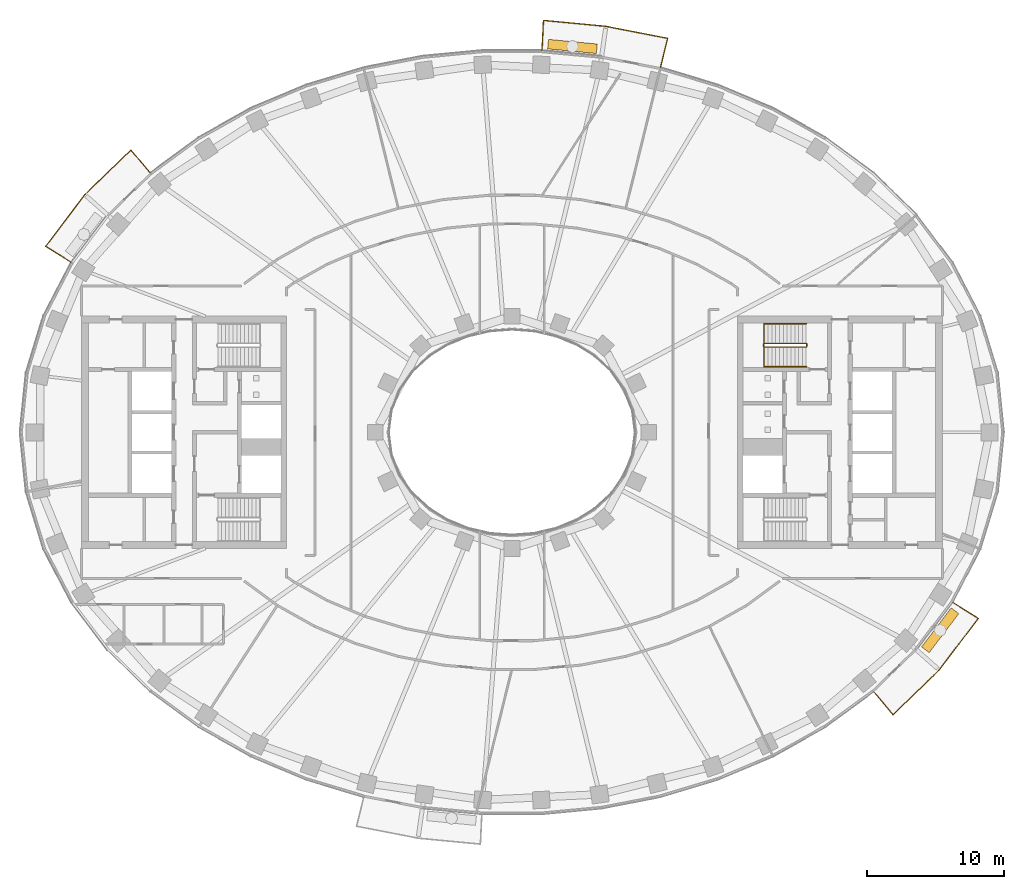
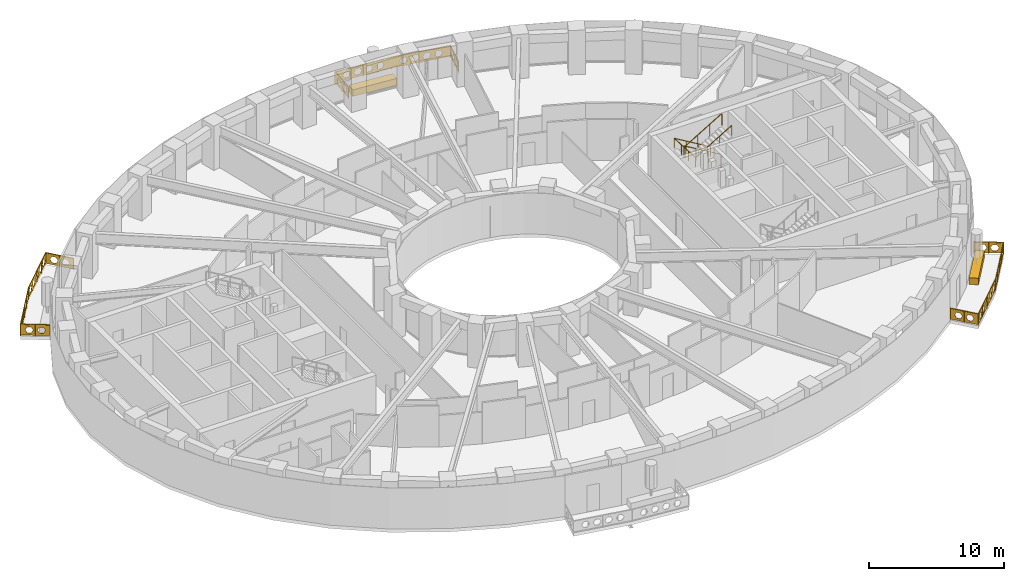
# One storey, part 15 of 16: 5 railings, 2 coverings.
"""IFC4 building model written with IfcOpenShell, lengths in metres."""

from ifc_helpers import new_model, si_unit, direction, frame, origin, origin_2d, place, context, subcontext, project, spatial, polyline, rectangle, outline, extrude, material, type_object, element, save


model = new_model("IFC4")

# Units and contexts
model_context = context("Model", 3, precision=1e-05, world=origin(), true_north=direction((0.0, 1.0)))
body_context = subcontext(model_context, "Body", "Model", "MODEL_VIEW")
ifc_project = project(units=[si_unit("LENGTHUNIT", "METRE"), si_unit("AREAUNIT", "SQUARE_METRE"), si_unit("VOLUMEUNIT", "CUBIC_METRE"), si_unit("PLANEANGLEUNIT", "RADIAN"), si_unit("MASSUNIT", "GRAM", prefix="KILO")], contexts=[model_context])

# Site, building, storey
site_placement = place(None, origin())
site = spatial("IfcSite", under=ifc_project, at=site_placement, CompositionType="ELEMENT")
building_placement = place(site_placement, origin())
building = spatial("IfcBuilding", under=site, at=building_placement, Name="Noorbagh Ring Tower", CompositionType="ELEMENT")
storey_placement = place(building_placement, frame((0.0, 0.0, 136.0)))
storey = spatial("IfcBuildingStorey", under=building, at=storey_placement, Name="L31", CompositionType="ELEMENT", Elevation=136.0)

# Railings
ifc_material_1 = material(Name="Stainless steel", Category="steel")
railing_type_1 = type_object("IfcRailingType", Name="CORE-STAIR-GUARD", PredefinedType="GUARDRAIL", material=ifc_material_1)
railing_1_placement = place(storey_placement, frame((21.580078125, 6.449951171875, 0.0)))
element("IfcRailing", 1, at=railing_1_placement, inside=storey, type_object=railing_type_1, Name="L31 ST3 stair guard", PredefinedType="GUARDRAIL", context=body_context, shape_type="SweptSolid", body=[
    extrude(rectangle(XDim=0.048095703125, YDim=0.048095703125, at=origin_2d()), frame((0.0, 0.0, 1.076171875), z_axis=(0.0, -1.0, 0.0), x_axis=(1.0, 0.0, 0.0)), (0.0, 0.0, 1.0), 0.14990234375),
    extrude(rectangle(XDim=0.048095703125, YDim=0.048095703125, at=origin_2d()), frame((0.0, -0.14990234375, 1.076171875), z_axis=(-0.188775798145, 0.754182335027, 0.628945707965), x_axis=(-0.970072785993, -0.242814311512, 0.0)), (0.0, 0.0, 1.0), 0.26513671875),
    extrude(rectangle(XDim=0.048095703125, YDim=0.048095703125, at=origin_2d()), frame((-0.050048828125, 0.050048828125, 1.24267578125), z_axis=(-0.859308565015, 0.0, 0.511457515432), x_axis=(0.0, -1.0, 0.0)), (0.0, 0.0, 1.0), 3.58447265625),
    extrude(rectangle(XDim=0.048095703125, YDim=0.048095703125, at=origin_2d()), frame((-3.130126953125, 0.050048828125, 3.076171875), z_axis=(-0.707106781187, -0.707106781187, 0.0), x_axis=(0.707106781187, -0.707106781187, 0.0)), (0.0, 0.0, 1.0), 0.07080078125),
    extrude(rectangle(XDim=0.048095703125, YDim=0.048095703125, at=origin_2d()), frame((-3.18017578125, 0.0, 3.076171875), z_axis=(0.0, -1.0, 0.0), x_axis=(1.0, 0.0, 0.0)), (0.0, 0.0, 1.0), 0.14990234375),
    extrude(rectangle(XDim=0.048095703125, YDim=0.048095703125, at=origin_2d()), frame((-3.18017578125, -0.14990234375, 3.076171875), z_axis=(0.27628659633, -0.27628659633, 0.920506074601), x_axis=(0.707106781187, 0.707106781187, 0.0)), (0.0, 0.0, 1.0), 0.18115234375),
    extrude(rectangle(XDim=0.048095703125, YDim=0.048095703125, at=origin_2d()), frame((-3.130126953125, -0.199951171875, 3.24267578125), z_axis=(0.859308565015, 0.0, 0.511457515432), x_axis=(0.0, 1.0, 0.0)), (0.0, 0.0, 1.0), 3.58447265625),
    extrude(rectangle(XDim=0.0419921875, YDim=0.0419921875, at=origin_2d()), origin(), (0.0, 0.0, 1.0), 1.052001953125),
    extrude(rectangle(XDim=0.0419921875, YDim=0.0419921875, at=origin_2d()), frame((-1.07666015625, 0.050048828125, 0.77783203125)), (0.0, 0.0, 1.0), 1.052001953125),
    extrude(rectangle(XDim=0.0419921875, YDim=0.0419921875, at=origin_2d()), frame((-2.103515625, 0.050048828125, 1.388916015625)), (0.0, 0.0, 1.0), 1.052001953125),
    extrude(rectangle(XDim=0.0419921875, YDim=0.0419921875, at=origin_2d()), frame((-3.130126953125, 0.050048828125, 2.0)), (0.0, 0.0, 1.0), 1.052001953125),
    extrude(rectangle(XDim=0.0419921875, YDim=0.0419921875, at=origin_2d()), frame((-3.130126953125, -0.199951171875, 2.166748046875)), (0.0, 0.0, 1.0), 1.052001953125),
    extrude(rectangle(XDim=0.0419921875, YDim=0.0419921875, at=origin_2d()), frame((-2.103515625, -0.199951171875, 2.77783203125)), (0.0, 0.0, 1.0), 1.052001953125),
    extrude(rectangle(XDim=0.0419921875, YDim=0.0419921875, at=origin_2d()), frame((-1.07666015625, -0.199951171875, 3.388916015625)), (0.0, 0.0, 1.0), 1.052001953125),
    extrude(rectangle(XDim=0.0419921875, YDim=0.0419921875, at=origin_2d()), frame((-0.050048828125, -0.199951171875, 4.0)), (0.0, 0.0, 1.0), 1.052001953125),
])
ifc_material_2 = material(Name="Stainless steel", Category="steel")
railing_type_2 = type_object("IfcRailingType", Name="CORE-STAIR-HANDRAIL", PredefinedType="HANDRAIL", material=ifc_material_2)
railing_2_placement = place(storey_placement, frame((21.530029296875, 7.949951171875, 0.166748046875)))
element("IfcRailing", 2, at=railing_2_placement, inside=storey, type_object=railing_type_2, Name="L31 ST3 stair handrail", PredefinedType="HANDRAIL", context=body_context, shape_type="SweptSolid", body=[
    extrude(rectangle(XDim=0.048095703125, YDim=0.048095703125, at=origin_2d()), frame((0.0, 0.0, 0.8759765625), z_axis=(-0.859308565015, 0.0, 0.511457515432), x_axis=(0.0, -1.0, 0.0)), (0.0, 0.0, 1.0), 3.58447265625),
    extrude(rectangle(XDim=0.048095703125, YDim=0.048095703125, at=origin_2d()), frame((-3.080078125, 0.0, 2.708984375), z_axis=(0.0, -0.998601747152, 0.052863509014), x_axis=(1.0, 0.0, 0.0)), (0.0, 0.0, 1.0), 3.154296875),
    extrude(rectangle(XDim=0.048095703125, YDim=0.048095703125, at=origin_2d()), frame((-3.080078125, -3.14990234375, 2.8759765625), z_axis=(0.859308565015, 0.0, 0.511457515432), x_axis=(0.0, 1.0, 0.0)), (0.0, 0.0, 1.0), 3.58447265625),
    extrude(rectangle(XDim=0.0419921875, YDim=0.0419921875, at=origin_2d()), origin(), (0.0, 0.0, 1.0), 0.851806640625),
    extrude(rectangle(XDim=0.0419921875, YDim=0.0419921875, at=origin_2d()), frame((-1.026611328125, 0.0, 0.611083984375)), (0.0, 0.0, 1.0), 0.851806640625),
    extrude(rectangle(XDim=0.0419921875, YDim=0.0419921875, at=origin_2d()), frame((-2.053466796875, 0.0, 1.22216796875)), (0.0, 0.0, 1.0), 0.851806640625),
    extrude(rectangle(XDim=0.0419921875, YDim=0.0419921875, at=origin_2d()), frame((-3.080078125, 0.0, 1.833251953125)), (0.0, 0.0, 1.0), 0.851806640625),
    extrude(rectangle(XDim=0.0419921875, YDim=0.0419921875, at=origin_2d()), frame((-3.080078125, -1.050048828125, 1.888916015625)), (0.0, 0.0, 1.0), 0.851806640625),
    extrude(rectangle(XDim=0.0419921875, YDim=0.0419921875, at=origin_2d()), frame((-3.080078125, -2.099853515625, 1.9443359375)), (0.0, 0.0, 1.0), 0.851806640625),
    extrude(rectangle(XDim=0.0419921875, YDim=0.0419921875, at=origin_2d()), frame((-3.080078125, -3.14990234375, 2.0)), (0.0, 0.0, 1.0), 0.851806640625),
    extrude(rectangle(XDim=0.0419921875, YDim=0.0419921875, at=origin_2d()), frame((-2.053466796875, -3.14990234375, 2.611083984375)), (0.0, 0.0, 1.0), 0.851806640625),
    extrude(rectangle(XDim=0.0419921875, YDim=0.0419921875, at=origin_2d()), frame((-1.026611328125, -3.14990234375, 3.22216796875)), (0.0, 0.0, 1.0), 0.851806640625),
    extrude(rectangle(XDim=0.0419921875, YDim=0.0419921875, at=origin_2d()), frame((0.0, -3.14990234375, 3.833251953125)), (0.0, 0.0, 1.0), 0.851806640625),
])
ifc_material_3 = material(Name="Steel S275 black powder-coated", Category="steel")
railing_type_3 = type_object("IfcRailingType", Name="ENV-GUARD", PredefinedType="GUARDRAIL", material=ifc_material_3)
railing_3_placement = place(storey_placement, frame((10.865234375, 26.6943359375, 0.0)))
element("IfcRailing", 3, at=railing_3_placement, inside=storey, type_object=railing_type_3, Name="Balcony guard BN03", PredefinedType="GUARDRAIL", context=body_context, shape_type="SweptSolid", body=[
    extrude(rectangle(XDim=0.048095703125, YDim=0.048095703125, at=origin_2d()), frame((0.0, 0.0, 1.076171875), z_axis=(0.239848558412, 0.970810315679, 0.0), x_axis=(-0.970810315679, 0.239848558412, 0.0)), (0.0, 0.0, 1.0), 2.20263671875),
    extrude(rectangle(XDim=0.048095703125, YDim=0.048095703125, at=origin_2d()), frame((0.5283203125, 2.138427734375, 1.076171875), z_axis=(-0.981625049064, 0.1908199755, 0.0), x_axis=(-0.1908199755, -0.981625049064, 0.0)), (0.0, 0.0, 1.0), 4.603271484375),
    extrude(rectangle(XDim=0.048095703125, YDim=0.048095703125, at=origin_2d()), frame((-3.990478515625, 3.016845703125, 1.076171875), z_axis=(-0.995477555764, 0.094997031379, 0.0), x_axis=(-0.094997031379, -0.995477555764, 0.0)), (0.0, 0.0, 1.0), 4.59765625),
    extrude(rectangle(XDim=0.048095703125, YDim=0.048095703125, at=origin_2d()), frame((-8.5673828125, 3.45361328125, 1.076171875), z_axis=(-0.047554616162, -0.998868639252, 0.0), x_axis=(0.998868639252, -0.047554616162, 0.0)), (0.0, 0.0, 1.0), 2.202392578125),
    extrude(rectangle(XDim=0.0419921875, YDim=0.0419921875, at=origin_2d()), origin(), (0.0, 0.0, 1.0), 1.052001953125),
    extrude(rectangle(XDim=0.0419921875, YDim=0.0419921875, at=origin_2d()), frame((0.26416015625, 1.0693359375, 0.0)), (0.0, 0.0, 1.0), 1.052001953125),
    extrude(rectangle(XDim=0.0419921875, YDim=0.0419921875, at=origin_2d()), frame((0.5283203125, 2.138427734375, 0.0)), (0.0, 0.0, 1.0), 1.052001953125),
    extrude(rectangle(XDim=0.0419921875, YDim=0.0419921875, at=origin_2d()), frame((-0.601318359375, 2.35791015625, 0.0)), (0.0, 0.0, 1.0), 1.052001953125),
    extrude(rectangle(XDim=0.0419921875, YDim=0.0419921875, at=origin_2d()), frame((-1.73095703125, 2.57763671875, 0.0)), (0.0, 0.0, 1.0), 1.052001953125),
    extrude(rectangle(XDim=0.0419921875, YDim=0.0419921875, at=origin_2d()), frame((-2.86083984375, 2.79736328125, 0.0)), (0.0, 0.0, 1.0), 1.052001953125),
    extrude(rectangle(XDim=0.0419921875, YDim=0.0419921875, at=origin_2d()), frame((-3.990478515625, 3.016845703125, 0.0)), (0.0, 0.0, 1.0), 1.052001953125),
    extrude(rectangle(XDim=0.0419921875, YDim=0.0419921875, at=origin_2d()), frame((-5.134765625, 3.1259765625, 0.0)), (0.0, 0.0, 1.0), 1.052001953125),
    extrude(rectangle(XDim=0.0419921875, YDim=0.0419921875, at=origin_2d()), frame((-6.27880859375, 3.2353515625, 0.0)), (0.0, 0.0, 1.0), 1.052001953125),
    extrude(rectangle(XDim=0.0419921875, YDim=0.0419921875, at=origin_2d()), frame((-7.423095703125, 3.344482421875, 0.0)), (0.0, 0.0, 1.0), 1.052001953125),
    extrude(rectangle(XDim=0.0419921875, YDim=0.0419921875, at=origin_2d()), frame((-8.5673828125, 3.45361328125, 0.0)), (0.0, 0.0, 1.0), 1.052001953125),
    extrude(rectangle(XDim=0.0419921875, YDim=0.0419921875, at=origin_2d()), frame((-8.61962890625, 2.353515625, 0.0)), (0.0, 0.0, 1.0), 1.052001953125),
    extrude(rectangle(XDim=0.0419921875, YDim=0.0419921875, at=origin_2d()), frame((-8.672119140625, 1.253662109375, 0.0)), (0.0, 0.0, 1.0), 1.052001953125),
    extrude(outline(polyline([(0.0, 0.10009765625), (2.20263671875, 0.10009765625), (2.20263671875, 1.031982421875), (0.0, 1.031982421875), (0.0, 0.10009765625)]), holes=[polyline([(0.96142578125, 0.56591796875), (0.806396484375, 0.83447265625), (0.496337890625, 0.83447265625), (0.34130859375, 0.56591796875), (0.496337890625, 0.297607421875), (0.806396484375, 0.297607421875), (0.96142578125, 0.56591796875)]), polyline([(1.861328125, 0.56591796875), (1.706298828125, 0.83447265625), (1.396240234375, 0.83447265625), (1.241455078125, 0.56591796875), (1.396240234375, 0.297607421875), (1.706298828125, 0.297607421875), (1.861328125, 0.56591796875)])]), frame((-0.009765625, 0.00244140625, 0.0), z_axis=(0.970810315679, -0.239848558412, 0.0), x_axis=(0.239848558412, 0.970810315679, 0.0)), (0.0, 0.0, 1.0), 0.02001953125),
    extrude(outline(polyline([(0.0, 0.10009765625), (4.603271484375, 0.10009765625), (4.603271484375, 1.031982421875), (0.0, 1.031982421875), (0.0, 0.10009765625)]), holes=[polyline([(1.26171875, 0.56591796875), (1.106689453125, 0.83447265625), (0.796630859375, 0.83447265625), (0.6416015625, 0.56591796875), (0.796630859375, 0.297607421875), (1.106689453125, 0.297607421875), (1.26171875, 0.56591796875)]), polyline([(2.16162109375, 0.56591796875), (2.006591796875, 0.83447265625), (1.69677734375, 0.83447265625), (1.541748046875, 0.56591796875), (1.69677734375, 0.297607421875), (2.006591796875, 0.297607421875), (2.16162109375, 0.56591796875)]), polyline([(3.061767578125, 0.56591796875), (2.90673828125, 0.83447265625), (2.5966796875, 0.83447265625), (2.441650390625, 0.56591796875), (2.5966796875, 0.297607421875), (2.90673828125, 0.297607421875), (3.061767578125, 0.56591796875)]), polyline([(3.961669921875, 0.56591796875), (3.806640625, 0.83447265625), (3.49658203125, 0.83447265625), (3.341796875, 0.56591796875), (3.49658203125, 0.297607421875), (3.806640625, 0.297607421875), (3.961669921875, 0.56591796875)])]), frame((0.5263671875, 2.128662109375, 0.0), z_axis=(0.1908199755, 0.981625049064, 0.0), x_axis=(-0.981625049064, 0.1908199755, 0.0)), (0.0, 0.0, 1.0), 0.02001953125),
    extrude(outline(polyline([(0.0, 0.10009765625), (4.59765625, 0.10009765625), (4.59765625, 1.031982421875), (0.0, 1.031982421875), (0.0, 0.10009765625)]), holes=[polyline([(1.2587890625, 0.56591796875), (1.103759765625, 0.83447265625), (0.7939453125, 0.83447265625), (0.638916015625, 0.56591796875), (0.7939453125, 0.297607421875), (1.103759765625, 0.297607421875), (1.2587890625, 0.56591796875)]), polyline([(2.158935546875, 0.56591796875), (2.00390625, 0.83447265625), (1.69384765625, 0.83447265625), (1.538818359375, 0.56591796875), (1.69384765625, 0.297607421875), (2.00390625, 0.297607421875), (2.158935546875, 0.56591796875)]), polyline([(3.058837890625, 0.56591796875), (2.90380859375, 0.83447265625), (2.59375, 0.83447265625), (2.43896484375, 0.56591796875), (2.59375, 0.297607421875), (2.90380859375, 0.297607421875), (3.058837890625, 0.56591796875)]), polyline([(3.958740234375, 0.56591796875), (3.803955078125, 0.83447265625), (3.493896484375, 0.83447265625), (3.3388671875, 0.56591796875), (3.493896484375, 0.297607421875), (3.803955078125, 0.297607421875), (3.958740234375, 0.56591796875)])]), frame((-3.991455078125, 3.0068359375, 0.0), z_axis=(0.094997031379, 0.995477555764, 0.0), x_axis=(-0.995477555764, 0.094997031379, 0.0)), (0.0, 0.0, 1.0), 0.02001953125),
    extrude(outline(polyline([(0.0, 0.10009765625), (2.202392578125, 0.10009765625), (2.202392578125, 1.031982421875), (0.0, 1.031982421875), (0.0, 0.10009765625)]), holes=[polyline([(0.961181640625, 0.56591796875), (0.80615234375, 0.83447265625), (0.496337890625, 0.83447265625), (0.34130859375, 0.56591796875), (0.496337890625, 0.297607421875), (0.80615234375, 0.297607421875), (0.961181640625, 0.56591796875)]), polyline([(1.861328125, 0.56591796875), (1.706298828125, 0.83447265625), (1.396240234375, 0.83447265625), (1.2412109375, 0.56591796875), (1.396240234375, 0.297607421875), (1.706298828125, 0.297607421875), (1.861328125, 0.56591796875)])]), frame((-8.557373046875, 3.453125, 0.0), z_axis=(-0.998868639252, 0.047554616162, 0.0), x_axis=(-0.047554616162, -0.998868639252, 0.0)), (0.0, 0.0, 1.0), 0.02001953125),
])
railing_4_placement = place(storey_placement, frame((-26.463134765625, 18.983154296875, 0.0)))
element("IfcRailing", 4, at=railing_4_placement, inside=storey, type_object=railing_type_3, Name="Balcony guard BN06", PredefinedType="GUARDRAIL", context=body_context, shape_type="SweptSolid", body=[
    extrude(rectangle(XDim=0.048095703125, YDim=0.048095703125, at=origin_2d()), frame((0.0, 0.0, 1.076171875), z_axis=(-0.646413574048, 0.762987215677, 0.0), x_axis=(-0.762987215677, -0.646413574048, 0.0)), (0.0, 0.0, 1.0), 2.205322265625),
    extrude(rectangle(XDim=0.048095703125, YDim=0.048095703125, at=origin_2d()), frame((-1.425537109375, 1.6826171875, 1.076171875), z_axis=(-0.717212632946, -0.696854388766, 0.0), x_axis=(0.696854388766, -0.717212632946, 0.0)), (0.0, 0.0, 1.0), 4.700927734375),
    extrude(rectangle(XDim=0.048095703125, YDim=0.048095703125, at=origin_2d()), frame((-4.797119140625, -1.59326171875, 1.076171875), z_axis=(-0.604001613322, -0.796983093362, 0.0), x_axis=(0.796983093362, -0.604001613322, 0.0)), (0.0, 0.0, 1.0), 4.7353515625),
    extrude(rectangle(XDim=0.048095703125, YDim=0.048095703125, at=origin_2d()), frame((-7.6572265625, -5.3671875, 1.076171875), z_axis=(0.844852397829, -0.534999463442, 0.0), x_axis=(0.534999463442, 0.844852397829, 0.0)), (0.0, 0.0, 1.0), 2.207763671875),
    extrude(rectangle(XDim=0.0419921875, YDim=0.0419921875, at=origin_2d()), origin(), (0.0, 0.0, 1.0), 1.052001953125),
    extrude(rectangle(XDim=0.0419921875, YDim=0.0419921875, at=origin_2d()), frame((-0.712890625, 0.84130859375, 0.0)), (0.0, 0.0, 1.0), 1.052001953125),
    extrude(rectangle(XDim=0.0419921875, YDim=0.0419921875, at=origin_2d()), frame((-1.425537109375, 1.6826171875, 0.0)), (0.0, 0.0, 1.0), 1.052001953125),
    extrude(rectangle(XDim=0.0419921875, YDim=0.0419921875, at=origin_2d()), frame((-2.2685546875, 0.86376953125, 0.0)), (0.0, 0.0, 1.0), 1.052001953125),
    extrude(rectangle(XDim=0.0419921875, YDim=0.0419921875, at=origin_2d()), frame((-3.111328125, 0.044677734375, 0.0)), (0.0, 0.0, 1.0), 1.052001953125),
    extrude(rectangle(XDim=0.0419921875, YDim=0.0419921875, at=origin_2d()), frame((-3.9541015625, -0.7744140625, 0.0)), (0.0, 0.0, 1.0), 1.052001953125),
    extrude(rectangle(XDim=0.0419921875, YDim=0.0419921875, at=origin_2d()), frame((-4.797119140625, -1.59326171875, 0.0)), (0.0, 0.0, 1.0), 1.052001953125),
    extrude(rectangle(XDim=0.0419921875, YDim=0.0419921875, at=origin_2d()), frame((-5.51220703125, -2.53662109375, 0.0)), (0.0, 0.0, 1.0), 1.052001953125),
    extrude(rectangle(XDim=0.0419921875, YDim=0.0419921875, at=origin_2d()), frame((-6.22705078125, -3.480224609375, 0.0)), (0.0, 0.0, 1.0), 1.052001953125),
    extrude(rectangle(XDim=0.0419921875, YDim=0.0419921875, at=origin_2d()), frame((-6.942138671875, -4.423828125, 0.0)), (0.0, 0.0, 1.0), 1.052001953125),
    extrude(rectangle(XDim=0.0419921875, YDim=0.0419921875, at=origin_2d()), frame((-7.6572265625, -5.3671875, 0.0)), (0.0, 0.0, 1.0), 1.052001953125),
    extrude(rectangle(XDim=0.0419921875, YDim=0.0419921875, at=origin_2d()), frame((-6.724609375, -5.957763671875, 0.0)), (0.0, 0.0, 1.0), 1.052001953125),
    extrude(rectangle(XDim=0.0419921875, YDim=0.0419921875, at=origin_2d()), frame((-5.7919921875, -6.54833984375, 0.0)), (0.0, 0.0, 1.0), 1.052001953125),
    extrude(outline(polyline([(0.0, 0.10009765625), (2.205322265625, 0.10009765625), (2.205322265625, 1.031982421875), (0.0, 1.031982421875), (0.0, 0.10009765625)]), holes=[polyline([(0.962646484375, 0.56591796875), (0.8076171875, 0.83447265625), (0.49755859375, 0.83447265625), (0.342529296875, 0.56591796875), (0.49755859375, 0.297607421875), (0.8076171875, 0.297607421875), (0.962646484375, 0.56591796875)]), polyline([(1.862548828125, 0.56591796875), (1.707763671875, 0.83447265625), (1.397705078125, 0.83447265625), (1.24267578125, 0.56591796875), (1.397705078125, 0.297607421875), (1.707763671875, 0.297607421875), (1.862548828125, 0.56591796875)])]), frame((-0.007568359375, -0.00634765625, 0.0), z_axis=(0.762987215677, 0.646413574048, 0.0), x_axis=(-0.646413574048, 0.762987215677, 0.0)), (0.0, 0.0, 1.0), 0.02001953125),
    extrude(outline(polyline([(0.0, 0.10009765625), (4.700927734375, 0.10009765625), (4.700927734375, 1.031982421875), (0.0, 1.031982421875), (0.0, 0.10009765625)]), holes=[polyline([(0.860595703125, 0.56591796875), (0.70556640625, 0.83447265625), (0.3955078125, 0.83447265625), (0.240478515625, 0.56591796875), (0.3955078125, 0.297607421875), (0.70556640625, 0.297607421875), (0.860595703125, 0.56591796875)]), polyline([(1.760498046875, 0.56591796875), (1.60546875, 0.83447265625), (1.29541015625, 0.83447265625), (1.140380859375, 0.56591796875), (1.29541015625, 0.297607421875), (1.60546875, 0.297607421875), (1.760498046875, 0.56591796875)]), polyline([(2.660400390625, 0.56591796875), (2.50537109375, 0.83447265625), (2.195556640625, 0.83447265625), (2.04052734375, 0.56591796875), (2.195556640625, 0.297607421875), (2.50537109375, 0.297607421875), (2.660400390625, 0.56591796875)]), polyline([(3.560546875, 0.56591796875), (3.405517578125, 0.83447265625), (3.095458984375, 0.83447265625), (2.9404296875, 0.56591796875), (3.095458984375, 0.297607421875), (3.405517578125, 0.297607421875), (3.560546875, 0.56591796875)]), polyline([(4.46044921875, 0.56591796875), (4.305419921875, 0.83447265625), (3.995361328125, 0.83447265625), (3.840576171875, 0.56591796875), (3.995361328125, 0.297607421875), (4.305419921875, 0.297607421875), (4.46044921875, 0.56591796875)])]), frame((-1.41845703125, 1.675537109375, 0.0), z_axis=(-0.696854388766, 0.717212632946, 0.0), x_axis=(-0.717212632946, -0.696854388766, 0.0)), (0.0, 0.0, 1.0), 0.02001953125),
    extrude(outline(polyline([(0.0, 0.10009765625), (4.7353515625, 0.10009765625), (4.7353515625, 1.031982421875), (0.0, 1.031982421875), (0.0, 0.10009765625)]), holes=[polyline([(0.877685546875, 0.56591796875), (0.72265625, 0.83447265625), (0.41259765625, 0.83447265625), (0.257568359375, 0.56591796875), (0.41259765625, 0.297607421875), (0.72265625, 0.297607421875), (0.877685546875, 0.56591796875)]), polyline([(1.777587890625, 0.56591796875), (1.62255859375, 0.83447265625), (1.312744140625, 0.83447265625), (1.15771484375, 0.56591796875), (1.312744140625, 0.297607421875), (1.62255859375, 0.297607421875), (1.777587890625, 0.56591796875)]), polyline([(2.677734375, 0.56591796875), (2.522705078125, 0.83447265625), (2.212646484375, 0.83447265625), (2.0576171875, 0.56591796875), (2.212646484375, 0.297607421875), (2.522705078125, 0.297607421875), (2.677734375, 0.56591796875)]), polyline([(3.57763671875, 0.56591796875), (3.422607421875, 0.83447265625), (3.112548828125, 0.83447265625), (2.95751953125, 0.56591796875), (3.112548828125, 0.297607421875), (3.422607421875, 0.297607421875), (3.57763671875, 0.56591796875)]), polyline([(4.4775390625, 0.56591796875), (4.32275390625, 0.83447265625), (4.0126953125, 0.83447265625), (3.857666015625, 0.56591796875), (4.0126953125, 0.297607421875), (4.32275390625, 0.297607421875), (4.4775390625, 0.56591796875)])]), frame((-4.7890625, -1.599365234375, 0.0), z_axis=(-0.796983093362, 0.604001613322, 0.0), x_axis=(-0.604001613322, -0.796983093362, 0.0)), (0.0, 0.0, 1.0), 0.02001953125),
    extrude(outline(polyline([(0.0, 0.10009765625), (2.207763671875, 0.10009765625), (2.207763671875, 1.031982421875), (0.0, 1.031982421875), (0.0, 0.10009765625)]), holes=[polyline([(0.9638671875, 0.56591796875), (0.808837890625, 0.83447265625), (0.498779296875, 0.83447265625), (0.343994140625, 0.56591796875), (0.498779296875, 0.297607421875), (0.808837890625, 0.297607421875), (0.9638671875, 0.56591796875)]), polyline([(1.86376953125, 0.56591796875), (1.708984375, 0.83447265625), (1.39892578125, 0.83447265625), (1.243896484375, 0.56591796875), (1.39892578125, 0.297607421875), (1.708984375, 0.297607421875), (1.86376953125, 0.56591796875)])]), frame((-7.65185546875, -5.358642578125, 0.0), z_axis=(-0.534999463442, -0.844852397829, 0.0), x_axis=(0.844852397829, -0.534999463442, 0.0)), (0.0, 0.0, 1.0), 0.02001953125),
])
railing_5_placement = place(storey_placement, frame((26.463134765625, -18.983154296875, 0.0)))
element("IfcRailing", 5, at=railing_5_placement, inside=storey, type_object=railing_type_3, Name="Balcony guard BS06", PredefinedType="GUARDRAIL", context=body_context, shape_type="SweptSolid", body=[
    extrude(rectangle(XDim=0.048095703125, YDim=0.048095703125, at=origin_2d()), frame((0.0, 0.0, 1.076171875), z_axis=(0.646413574048, -0.762987215677, 0.0), x_axis=(0.762987215677, 0.646413574048, 0.0)), (0.0, 0.0, 1.0), 2.205322265625),
    extrude(rectangle(XDim=0.048095703125, YDim=0.048095703125, at=origin_2d()), frame((1.425537109375, -1.6826171875, 1.076171875), z_axis=(0.717212632946, 0.696854388766, 0.0), x_axis=(-0.696854388766, 0.717212632946, 0.0)), (0.0, 0.0, 1.0), 4.700927734375),
    extrude(rectangle(XDim=0.048095703125, YDim=0.048095703125, at=origin_2d()), frame((4.797119140625, 1.59326171875, 1.076171875), z_axis=(0.604001613322, 0.796983093362, 0.0), x_axis=(-0.796983093362, 0.604001613322, 0.0)), (0.0, 0.0, 1.0), 4.7353515625),
    extrude(rectangle(XDim=0.048095703125, YDim=0.048095703125, at=origin_2d()), frame((7.6572265625, 5.3671875, 1.076171875), z_axis=(-0.844852397829, 0.534999463442, 0.0), x_axis=(-0.534999463442, -0.844852397829, 0.0)), (0.0, 0.0, 1.0), 2.207763671875),
    extrude(rectangle(XDim=0.0419921875, YDim=0.0419921875, at=origin_2d()), origin(), (0.0, 0.0, 1.0), 1.052001953125),
    extrude(rectangle(XDim=0.0419921875, YDim=0.0419921875, at=origin_2d()), frame((0.712890625, -0.84130859375, 0.0)), (0.0, 0.0, 1.0), 1.052001953125),
    extrude(rectangle(XDim=0.0419921875, YDim=0.0419921875, at=origin_2d()), frame((1.425537109375, -1.6826171875, 0.0)), (0.0, 0.0, 1.0), 1.052001953125),
    extrude(rectangle(XDim=0.0419921875, YDim=0.0419921875, at=origin_2d()), frame((2.2685546875, -0.86376953125, 0.0)), (0.0, 0.0, 1.0), 1.052001953125),
    extrude(rectangle(XDim=0.0419921875, YDim=0.0419921875, at=origin_2d()), frame((3.111328125, -0.044677734375, 0.0)), (0.0, 0.0, 1.0), 1.052001953125),
    extrude(rectangle(XDim=0.0419921875, YDim=0.0419921875, at=origin_2d()), frame((3.9541015625, 0.7744140625, 0.0)), (0.0, 0.0, 1.0), 1.052001953125),
    extrude(rectangle(XDim=0.0419921875, YDim=0.0419921875, at=origin_2d()), frame((4.797119140625, 1.59326171875, 0.0)), (0.0, 0.0, 1.0), 1.052001953125),
    extrude(rectangle(XDim=0.0419921875, YDim=0.0419921875, at=origin_2d()), frame((5.51220703125, 2.53662109375, 0.0)), (0.0, 0.0, 1.0), 1.052001953125),
    extrude(rectangle(XDim=0.0419921875, YDim=0.0419921875, at=origin_2d()), frame((6.22705078125, 3.480224609375, 0.0)), (0.0, 0.0, 1.0), 1.052001953125),
    extrude(rectangle(XDim=0.0419921875, YDim=0.0419921875, at=origin_2d()), frame((6.942138671875, 4.423828125, 0.0)), (0.0, 0.0, 1.0), 1.052001953125),
    extrude(rectangle(XDim=0.0419921875, YDim=0.0419921875, at=origin_2d()), frame((7.6572265625, 5.3671875, 0.0)), (0.0, 0.0, 1.0), 1.052001953125),
    extrude(rectangle(XDim=0.0419921875, YDim=0.0419921875, at=origin_2d()), frame((6.724609375, 5.957763671875, 0.0)), (0.0, 0.0, 1.0), 1.052001953125),
    extrude(rectangle(XDim=0.0419921875, YDim=0.0419921875, at=origin_2d()), frame((5.7919921875, 6.54833984375, 0.0)), (0.0, 0.0, 1.0), 1.052001953125),
    extrude(outline(polyline([(0.0, 0.10009765625), (2.205322265625, 0.10009765625), (2.205322265625, 1.031982421875), (0.0, 1.031982421875), (0.0, 0.10009765625)]), holes=[polyline([(0.962646484375, 0.56591796875), (0.8076171875, 0.83447265625), (0.49755859375, 0.83447265625), (0.342529296875, 0.56591796875), (0.49755859375, 0.297607421875), (0.8076171875, 0.297607421875), (0.962646484375, 0.56591796875)]), polyline([(1.862548828125, 0.56591796875), (1.707763671875, 0.83447265625), (1.397705078125, 0.83447265625), (1.24267578125, 0.56591796875), (1.397705078125, 0.297607421875), (1.707763671875, 0.297607421875), (1.862548828125, 0.56591796875)])]), frame((0.007568359375, 0.00634765625, 0.0), z_axis=(-0.762987215677, -0.646413574048, 0.0), x_axis=(0.646413574048, -0.762987215677, 0.0)), (0.0, 0.0, 1.0), 0.02001953125),
    extrude(outline(polyline([(0.0, 0.10009765625), (4.700927734375, 0.10009765625), (4.700927734375, 1.031982421875), (0.0, 1.031982421875), (0.0, 0.10009765625)]), holes=[polyline([(0.860595703125, 0.56591796875), (0.70556640625, 0.83447265625), (0.3955078125, 0.83447265625), (0.240478515625, 0.56591796875), (0.3955078125, 0.297607421875), (0.70556640625, 0.297607421875), (0.860595703125, 0.56591796875)]), polyline([(1.760498046875, 0.56591796875), (1.60546875, 0.83447265625), (1.29541015625, 0.83447265625), (1.140380859375, 0.56591796875), (1.29541015625, 0.297607421875), (1.60546875, 0.297607421875), (1.760498046875, 0.56591796875)]), polyline([(2.660400390625, 0.56591796875), (2.50537109375, 0.83447265625), (2.195556640625, 0.83447265625), (2.04052734375, 0.56591796875), (2.195556640625, 0.297607421875), (2.50537109375, 0.297607421875), (2.660400390625, 0.56591796875)]), polyline([(3.560546875, 0.56591796875), (3.405517578125, 0.83447265625), (3.095458984375, 0.83447265625), (2.9404296875, 0.56591796875), (3.095458984375, 0.297607421875), (3.405517578125, 0.297607421875), (3.560546875, 0.56591796875)]), polyline([(4.46044921875, 0.56591796875), (4.305419921875, 0.83447265625), (3.995361328125, 0.83447265625), (3.840576171875, 0.56591796875), (3.995361328125, 0.297607421875), (4.305419921875, 0.297607421875), (4.46044921875, 0.56591796875)])]), frame((1.41845703125, -1.675537109375, 0.0), z_axis=(0.696854388766, -0.717212632946, 0.0), x_axis=(0.717212632946, 0.696854388766, 0.0)), (0.0, 0.0, 1.0), 0.02001953125),
    extrude(outline(polyline([(0.0, 0.10009765625), (4.7353515625, 0.10009765625), (4.7353515625, 1.031982421875), (0.0, 1.031982421875), (0.0, 0.10009765625)]), holes=[polyline([(0.877685546875, 0.56591796875), (0.72265625, 0.83447265625), (0.41259765625, 0.83447265625), (0.257568359375, 0.56591796875), (0.41259765625, 0.297607421875), (0.72265625, 0.297607421875), (0.877685546875, 0.56591796875)]), polyline([(1.777587890625, 0.56591796875), (1.62255859375, 0.83447265625), (1.312744140625, 0.83447265625), (1.15771484375, 0.56591796875), (1.312744140625, 0.297607421875), (1.62255859375, 0.297607421875), (1.777587890625, 0.56591796875)]), polyline([(2.677734375, 0.56591796875), (2.522705078125, 0.83447265625), (2.212646484375, 0.83447265625), (2.0576171875, 0.56591796875), (2.212646484375, 0.297607421875), (2.522705078125, 0.297607421875), (2.677734375, 0.56591796875)]), polyline([(3.57763671875, 0.56591796875), (3.422607421875, 0.83447265625), (3.112548828125, 0.83447265625), (2.95751953125, 0.56591796875), (3.112548828125, 0.297607421875), (3.422607421875, 0.297607421875), (3.57763671875, 0.56591796875)]), polyline([(4.4775390625, 0.56591796875), (4.32275390625, 0.83447265625), (4.0126953125, 0.83447265625), (3.857666015625, 0.56591796875), (4.0126953125, 0.297607421875), (4.32275390625, 0.297607421875), (4.4775390625, 0.56591796875)])]), frame((4.7890625, 1.599365234375, 0.0), z_axis=(0.796983093362, -0.604001613322, 0.0), x_axis=(0.604001613322, 0.796983093362, 0.0)), (0.0, 0.0, 1.0), 0.02001953125),
    extrude(outline(polyline([(0.0, 0.10009765625), (2.207763671875, 0.10009765625), (2.207763671875, 1.031982421875), (0.0, 1.031982421875), (0.0, 0.10009765625)]), holes=[polyline([(0.9638671875, 0.56591796875), (0.808837890625, 0.83447265625), (0.498779296875, 0.83447265625), (0.343994140625, 0.56591796875), (0.498779296875, 0.297607421875), (0.808837890625, 0.297607421875), (0.9638671875, 0.56591796875)]), polyline([(1.86376953125, 0.56591796875), (1.708984375, 0.83447265625), (1.39892578125, 0.83447265625), (1.243896484375, 0.56591796875), (1.39892578125, 0.297607421875), (1.708984375, 0.297607421875), (1.86376953125, 0.56591796875)])]), frame((7.65185546875, 5.358642578125, 0.0), z_axis=(0.534999463442, 0.844852397829, 0.0), x_axis=(-0.844852397829, 0.534999463442, 0.0)), (0.0, 0.0, 1.0), 0.02001953125),
])

# Coverings
ifc_material_4 = material(Name="Concrete C30/37 planter with soil", Category="concrete")
covering_type = type_object("IfcCoveringType", Name="ENV-PLANTER", PredefinedType="CLADDING", material=ifc_material_4)
covering_1_placement = place(storey_placement, frame((4.423828125, 28.2373046875, 0.0), z_axis=(0.0, 0.0, 1.0), x_axis=(-0.995476497323, 0.095008122171, 0.0)))
element("IfcCovering", 6, at=covering_1_placement, inside=storey, type_object=covering_type, Name="PLANTER BN03", ObjectType="PLANTER", PredefinedType="CLADDING", context=body_context, shape_type="SweptSolid", body=[
    extrude(rectangle(XDim=3.58642578125, YDim=0.699951171875, at=origin_2d()), origin(), (0.0, 0.0, 1.0), 0.60009765625),
])
covering_2_placement = place(storey_placement, frame((31.329833984375, -14.4833984375, 0.0), z_axis=(0.0, 0.0, 1.0), x_axis=(0.604020184358, 0.796969018776, 0.0)))
element("IfcCovering", 7, at=covering_2_placement, inside=storey, type_object=covering_type, Name="PLANTER BS06", ObjectType="PLANTER", PredefinedType="CLADDING", context=body_context, shape_type="SweptSolid", body=[
    extrude(rectangle(XDim=3.583251953125, YDim=0.699951171875, at=origin_2d()), origin(), (0.0, 0.0, 1.0), 0.60009765625),
])

save(model, "model.ifc")
